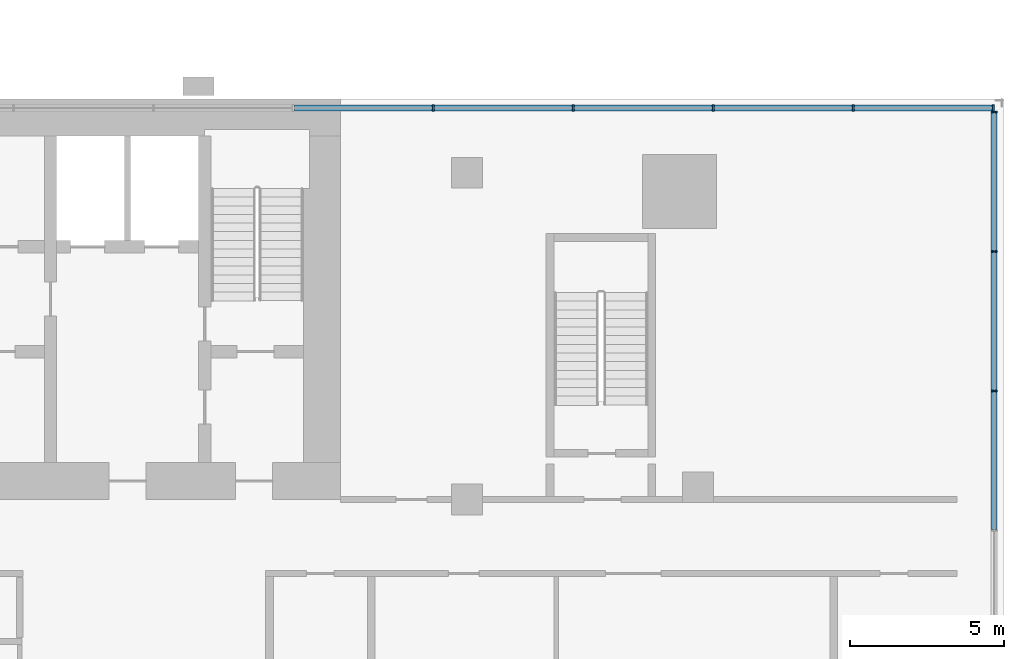
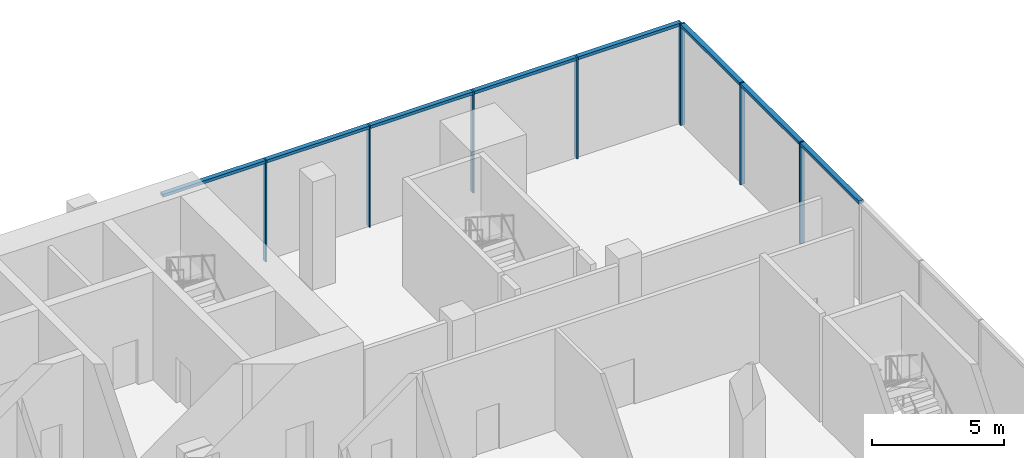
# One storey, part 10 of 22: 16 members, 2 elements without a shape of their own.
"""IFC4 building model written with IfcOpenShell, lengths in metres."""

from ifc_helpers import new_model, si_unit, direction, frame, origin, origin_2d, place, context, subcontext, project, spatial, rectangle, extrude, material, material_profile, profile_set, type_object, element, aggregate, save


model = new_model("IFC4")

# Units and contexts
model_context = context("Model", 3, precision=1e-05, world=origin(), true_north=direction((0.0, 1.0)))
body_context = subcontext(model_context, "Body", "Model", "MODEL_VIEW")
ifc_project = project(units=[si_unit("LENGTHUNIT", "METRE"), si_unit("AREAUNIT", "SQUARE_METRE"), si_unit("VOLUMEUNIT", "CUBIC_METRE"), si_unit("PLANEANGLEUNIT", "RADIAN"), si_unit("MASSUNIT", "GRAM", prefix="KILO")], contexts=[model_context])

# Site, building, storey
site_placement = place(None, origin())
site = spatial("IfcSite", under=ifc_project, at=site_placement, CompositionType="ELEMENT")
building_placement = place(site_placement, origin())
building = spatial("IfcBuilding", under=site, at=building_placement, Name="Bicima Exchange Tower", CompositionType="ELEMENT")
storey_placement = place(building_placement, frame((0.0, 0.0, 20.0)))
storey = spatial("IfcBuildingStorey", under=building, at=storey_placement, Name="L03", CompositionType="ELEMENT", Elevation=20.0)

# Curtain wall, members
ifc_material = material(Name="Anodised bronze aluminium", Category="aluminium")
curtain_wall_type = type_object("IfcCurtainWallType", Name="Lobby glazing", PredefinedType="NOTDEFINED", material=ifc_material)
curtain_wall_1_placement = place(storey_placement, origin())
curtain_wall_1 = element("IfcCurtainWall", 1, at=curtain_wall_1_placement, inside=storey, type_object=curtain_wall_type, Name="Podium glazing L03 east 1", PredefinedType="NOTDEFINED")
ifc_material_profile_1 = material_profile(ifc_material, rectangle(XDim=0.199951171875, YDim=0.06005859375, at=origin_2d()))
ifc_profile_set_1 = profile_set([ifc_material_profile_1], Name="Anodised bronze aluminium")
member_type_1 = type_object("IfcMemberType", Name="Lobby glazing mullion 60 x 200", PredefinedType="MULLION", material=ifc_profile_set_1)
member_1_placement = place(storey_placement, frame((43.199951171875, -9.47802734375, 0.0), z_axis=(0.0, 0.0, 1.0), x_axis=(-1.0, 0.0, 0.0)))
member_1 = element("IfcMember", 2, at=member_1_placement, type_object=member_type_1, Name="Lobby glazing mullion 9", PredefinedType="MULLION", context=body_context, shape_type="SweptSolid", body=[
    extrude(rectangle(XDim=0.199951171875, YDim=0.06005859375, at=origin_2d()), origin(), (0.0, 0.0, 1.0), 4.699951171875),
])
member_2_placement = place(storey_placement, frame((43.199951171875, -4.9541015625, 0.0), z_axis=(0.0, 0.0, 1.0), x_axis=(-1.0, 0.0, 0.0)))
member_2 = element("IfcMember", 3, at=member_2_placement, type_object=member_type_1, Name="Lobby glazing mullion 10", PredefinedType="MULLION", context=body_context, shape_type="SweptSolid", body=[
    extrude(rectangle(XDim=0.199951171875, YDim=0.06005859375, at=origin_2d()), origin(), (0.0, 0.0, 1.0), 4.699951171875),
])
member_3_placement = place(storey_placement, frame((43.199951171875, -0.429931640625, 0.0), z_axis=(0.0, 0.0, 1.0), x_axis=(-1.0, 0.0, 0.0)))
member_3 = element("IfcMember", 4, at=member_3_placement, type_object=member_type_1, Name="Lobby glazing mullion 11", PredefinedType="MULLION", context=body_context, shape_type="SweptSolid", body=[
    extrude(rectangle(XDim=0.199951171875, YDim=0.06005859375, at=origin_2d()), origin(), (0.0, 0.0, 1.0), 4.699951171875),
])

curtain_wall_2_placement = place(storey_placement, origin())
curtain_wall_2 = element("IfcCurtainWall", 5, at=curtain_wall_2_placement, inside=storey, type_object=curtain_wall_type, Name="Podium glazing L03 north 1", PredefinedType="NOTDEFINED")
member_4_placement = place(storey_placement, frame((43.169921875, -0.300048828125, 0.0), z_axis=(0.0, 0.0, 1.0), x_axis=(0.0, -1.0, 0.0)))
member_4 = element("IfcMember", 6, at=member_4_placement, type_object=member_type_1, Name="Lobby glazing mullion 1", PredefinedType="MULLION", context=body_context, shape_type="SweptSolid", body=[
    extrude(rectangle(XDim=0.199951171875, YDim=0.06005859375, at=origin_2d()), origin(), (0.0, 0.0, 1.0), 4.699951171875),
])
member_5_placement = place(storey_placement, frame((38.631103515625, -0.300048828125, 0.0), z_axis=(0.0, 0.0, 1.0), x_axis=(0.0, -1.0, 0.0)))
member_5 = element("IfcMember", 7, at=member_5_placement, type_object=member_type_1, Name="Lobby glazing mullion 2", PredefinedType="MULLION", context=body_context, shape_type="SweptSolid", body=[
    extrude(rectangle(XDim=0.199951171875, YDim=0.06005859375, at=origin_2d()), origin(), (0.0, 0.0, 1.0), 4.699951171875),
])
member_6_placement = place(storey_placement, frame((34.092041015625, -0.300048828125, 0.0), z_axis=(0.0, 0.0, 1.0), x_axis=(0.0, -1.0, 0.0)))
member_6 = element("IfcMember", 8, at=member_6_placement, type_object=member_type_1, Name="Lobby glazing mullion 3", PredefinedType="MULLION", context=body_context, shape_type="SweptSolid", body=[
    extrude(rectangle(XDim=0.199951171875, YDim=0.06005859375, at=origin_2d()), origin(), (0.0, 0.0, 1.0), 4.699951171875),
])
member_7_placement = place(storey_placement, frame((29.55322265625, -0.300048828125, 0.0), z_axis=(0.0, 0.0, 1.0), x_axis=(0.0, -1.0, 0.0)))
member_7 = element("IfcMember", 9, at=member_7_placement, type_object=member_type_1, Name="Lobby glazing mullion 4", PredefinedType="MULLION", context=body_context, shape_type="SweptSolid", body=[
    extrude(rectangle(XDim=0.199951171875, YDim=0.06005859375, at=origin_2d()), origin(), (0.0, 0.0, 1.0), 4.699951171875),
])
member_8_placement = place(storey_placement, frame((25.01416015625, -0.300048828125, 0.0), z_axis=(0.0, 0.0, 1.0), x_axis=(0.0, -1.0, 0.0)))
member_8 = element("IfcMember", 10, at=member_8_placement, type_object=member_type_1, Name="Lobby glazing mullion 5", PredefinedType="MULLION", context=body_context, shape_type="SweptSolid", body=[
    extrude(rectangle(XDim=0.199951171875, YDim=0.06005859375, at=origin_2d()), origin(), (0.0, 0.0, 1.0), 4.699951171875),
])

# Member
ifc_material_profile_2 = material_profile(ifc_material, rectangle(XDim=0.199951171875, YDim=0.139892578125, at=origin_2d()))
ifc_profile_set_2 = profile_set([ifc_material_profile_2], Name="Anodised bronze aluminium")
member_type_2 = type_object("IfcMemberType", Name="Lobby glazing transom 140 x 200", PredefinedType="USERDEFINED", material=ifc_profile_set_2)
member_9_placement = place(storey_placement, frame((43.199951171875, -13.971923828125, 4.6298828125), z_axis=(0.0, 1.0, 0.0), x_axis=(-1.0, 0.0, 0.0)))
member_9 = element("IfcMember", 11, at=member_9_placement, type_object=member_type_2, Name="Lobby glazing transom 8.1", ObjectType="TRANSOM", PredefinedType="USERDEFINED", context=body_context, shape_type="SweptSolid", body=[
    extrude(rectangle(XDim=0.199951171875, YDim=0.139892578125, at=origin_2d()), origin(), (0.0, 0.0, 1.0), 4.4638671875),
])

member_10_placement = place(storey_placement, frame((43.199951171875, -9.447998046875, 4.6298828125), z_axis=(0.0, 1.0, 0.0), x_axis=(-1.0, 0.0, 0.0)))
member_10 = element("IfcMember", 12, at=member_10_placement, type_object=member_type_2, Name="Lobby glazing transom 9.1", ObjectType="TRANSOM", PredefinedType="USERDEFINED", context=body_context, shape_type="SweptSolid", body=[
    extrude(rectangle(XDim=0.199951171875, YDim=0.139892578125, at=origin_2d()), origin(), (0.0, 0.0, 1.0), 4.464111328125),
])

member_11_placement = place(storey_placement, frame((43.199951171875, -4.924072265625, 4.6298828125), z_axis=(0.0, 1.0, 0.0), x_axis=(-1.0, 0.0, 0.0)))
member_11 = element("IfcMember", 13, at=member_11_placement, type_object=member_type_2, Name="Lobby glazing transom 10.1", ObjectType="TRANSOM", PredefinedType="USERDEFINED", context=body_context, shape_type="SweptSolid", body=[
    extrude(rectangle(XDim=0.199951171875, YDim=0.139892578125, at=origin_2d()), origin(), (0.0, 0.0, 1.0), 4.464111328125),
])

aggregate(curtain_wall_1, [member_1, member_2, member_3, member_9, member_10, member_11])

member_12_placement = place(storey_placement, frame((43.139892578125, -0.300048828125, 4.6298828125), z_axis=(-1.0, 0.0, 0.0), x_axis=(0.0, -1.0, 0.0)))
member_12 = element("IfcMember", 14, at=member_12_placement, type_object=member_type_2, Name="Lobby glazing transom 1.1", ObjectType="TRANSOM", PredefinedType="USERDEFINED", context=body_context, shape_type="SweptSolid", body=[
    extrude(rectangle(XDim=0.199951171875, YDim=0.139892578125, at=origin_2d()), origin(), (0.0, 0.0, 1.0), 4.478759765625),
])

member_13_placement = place(storey_placement, frame((38.60107421875, -0.300048828125, 4.6298828125), z_axis=(-1.0, 0.0, 0.0), x_axis=(0.0, -1.0, 0.0)))
member_13 = element("IfcMember", 15, at=member_13_placement, type_object=member_type_2, Name="Lobby glazing transom 2.1", ObjectType="TRANSOM", PredefinedType="USERDEFINED", context=body_context, shape_type="SweptSolid", body=[
    extrude(rectangle(XDim=0.199951171875, YDim=0.139892578125, at=origin_2d()), origin(), (0.0, 0.0, 1.0), 4.47900390625),
])

member_14_placement = place(storey_placement, frame((34.06201171875, -0.300048828125, 4.6298828125), z_axis=(-1.0, 0.0, 0.0), x_axis=(0.0, -1.0, 0.0)))
member_14 = element("IfcMember", 16, at=member_14_placement, type_object=member_type_2, Name="Lobby glazing transom 3.1", ObjectType="TRANSOM", PredefinedType="USERDEFINED", context=body_context, shape_type="SweptSolid", body=[
    extrude(rectangle(XDim=0.199951171875, YDim=0.139892578125, at=origin_2d()), origin(), (0.0, 0.0, 1.0), 4.478759765625),
])

member_15_placement = place(storey_placement, frame((29.523193359375, -0.300048828125, 4.6298828125), z_axis=(-1.0, 0.0, 0.0), x_axis=(0.0, -1.0, 0.0)))
member_15 = element("IfcMember", 17, at=member_15_placement, type_object=member_type_2, Name="Lobby glazing transom 4.1", ObjectType="TRANSOM", PredefinedType="USERDEFINED", context=body_context, shape_type="SweptSolid", body=[
    extrude(rectangle(XDim=0.199951171875, YDim=0.139892578125, at=origin_2d()), origin(), (0.0, 0.0, 1.0), 4.47900390625),
])

member_16_placement = place(storey_placement, frame((24.984130859375, -0.300048828125, 4.6298828125), z_axis=(-1.0, 0.0, 0.0), x_axis=(0.0, -1.0, 0.0)))
member_16 = element("IfcMember", 18, at=member_16_placement, type_object=member_type_2, Name="Lobby glazing transom 5.1", ObjectType="TRANSOM", PredefinedType="USERDEFINED", context=body_context, shape_type="SweptSolid", body=[
    extrude(rectangle(XDim=0.199951171875, YDim=0.139892578125, at=origin_2d()), origin(), (0.0, 0.0, 1.0), 4.478759765625),
])

aggregate(curtain_wall_2, [member_4, member_5, member_6, member_7, member_8, member_12, member_13, member_14, member_15, member_16])

save(model, "model.ifc")
